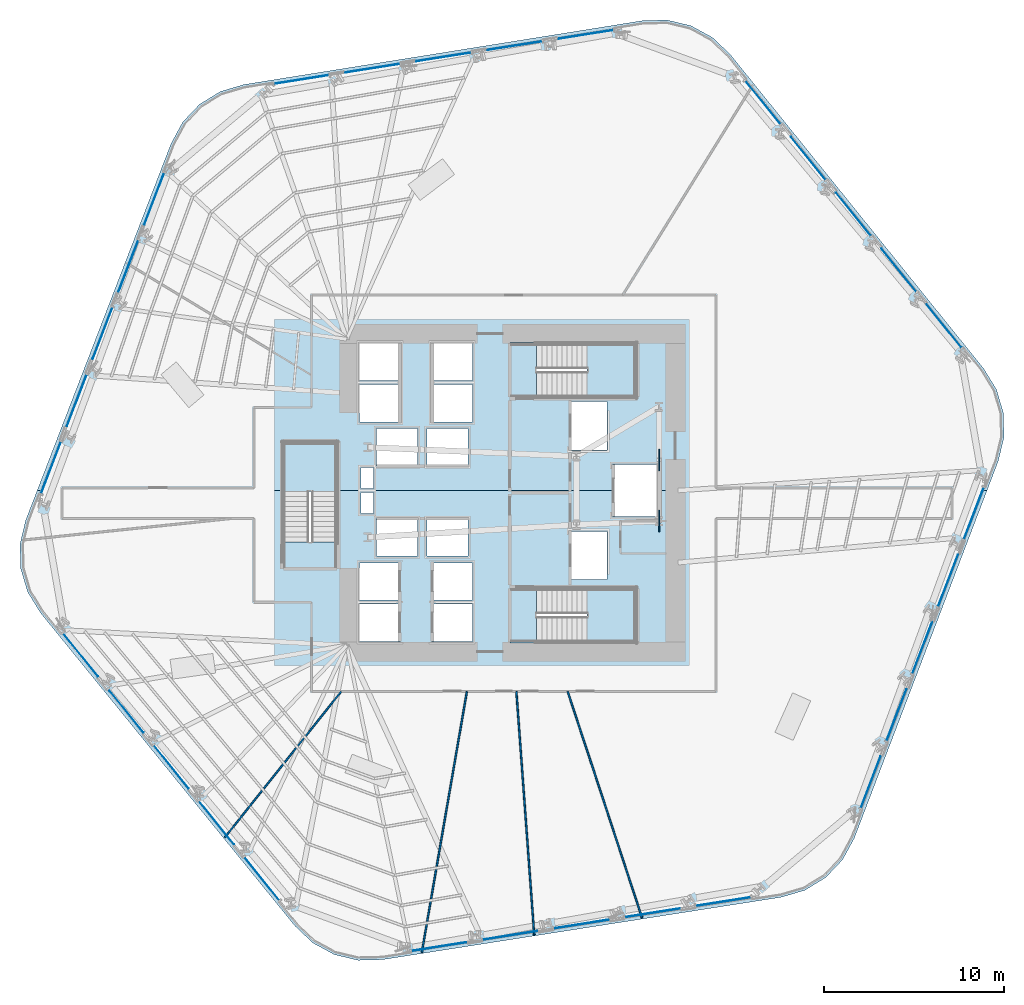
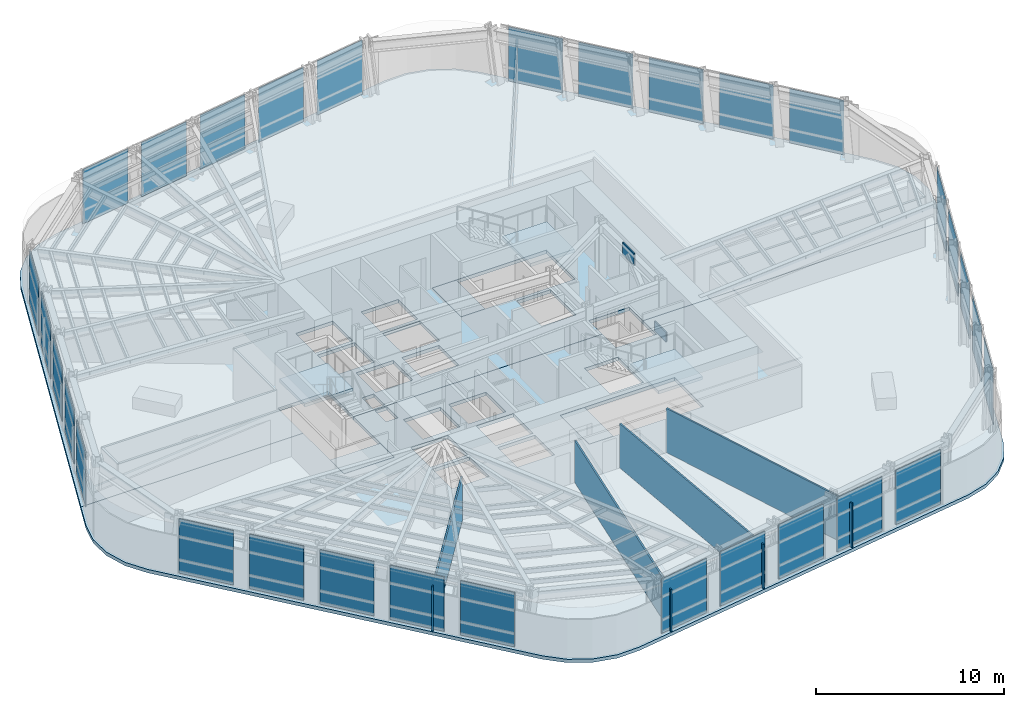
# One storey, part 7 of 16: 32 plates, 8 slabs, 4 walls, 9 elements without a shape of their own.
"""IFC4 building model written with IfcOpenShell, lengths in metres."""

from ifc_helpers import new_model, si_unit, direction, frame, frame_2d, origin, origin_2d, place, context, subcontext, project, spatial, polyline, rectangle, outline, extrude, material, layer, layer_set, type_object, element, aggregate, save


model = new_model("IFC4")

# Units and contexts
model_context = context("Model", 3, precision=1e-05, world=origin(), true_north=direction((0.0, 1.0)))
body_context = subcontext(model_context, "Body", "Model", "MODEL_VIEW")
ifc_project = project(units=[si_unit("LENGTHUNIT", "METRE"), si_unit("AREAUNIT", "SQUARE_METRE"), si_unit("VOLUMEUNIT", "CUBIC_METRE"), si_unit("PLANEANGLEUNIT", "RADIAN"), si_unit("MASSUNIT", "GRAM", prefix="KILO")], contexts=[model_context])

# Site, building, storey
site_placement = place(None, origin())
site = spatial("IfcSite", under=ifc_project, at=site_placement, CompositionType="ELEMENT")
building_placement = place(site_placement, origin())
building = spatial("IfcBuilding", under=site, at=building_placement, Name="Valkerne Bourse Tower", CompositionType="ELEMENT")
storey_placement = place(building_placement, frame((0.0, 0.0, 62.0)))
storey = spatial("IfcBuildingStorey", under=building, at=storey_placement, Name="L15", CompositionType="ELEMENT", Elevation=62.0)

# Curtain wall, plates
ifc_material_1 = material(Name="Aluminium AA 6063-T6", Category="aluminium")
ifc_layer_1 = layer(ifc_material_1, 0.22509765625)
ifc_layer_set_1 = layer_set([ifc_layer_1], Name="Aluminium AA 6063-T6")
curtain_wall_type = type_object("IfcCurtainWallType", Name="CW-01", PredefinedType="NOTDEFINED", material=ifc_layer_set_1)
curtain_wall_1_placement = place(storey_placement, origin())
curtain_wall_1 = element("IfcCurtainWall", 1, at=curtain_wall_1_placement, inside=storey, type_object=curtain_wall_type, Name="L15 Hexagonal Stick Curtain Wall Face 1", PredefinedType="NOTDEFINED")
ifc_material_2 = material(Name="Glass IGU Low-E Double Glazed", Category="glass")
ifc_layer_2 = layer(ifc_material_2, 0.031982421875)
ifc_layer_set_2 = layer_set([ifc_layer_2], Name="Glass IGU Low-E Double Glazed")
plate_type_1 = type_object("IfcPlateType", Name="CW-PNL-IGU-32", PredefinedType="CURTAIN_PANEL", material=ifc_layer_set_2)
plate_1_placement = place(storey_placement, frame((70.770263671875, 36.126953125, 0.030029296875), z_axis=(0.0, 0.0, 1.0), x_axis=(-0.629319886736, 0.777146369842, 0.0)))
plate_1 = element("IfcPlate", 2, at=plate_1_placement, type_object=plate_type_1, Name="CW-L15-F1 Curtain Panel 00", PredefinedType="CURTAIN_PANEL", context=body_context, shape_type="SweptSolid", body=[
    extrude(rectangle(XDim=3.075927734375, YDim=0.031982421875, at=origin_2d()), origin(), (0.0, 0.0, 1.0), 3.52001953125),
])
plate_2_placement = place(storey_placement, frame((68.255615234375, 39.232421875, 0.030029296875), z_axis=(0.0, 0.0, 1.0), x_axis=(-0.629322761639, 0.777144041786, 0.0)))
plate_2 = element("IfcPlate", 3, at=plate_2_placement, type_object=plate_type_1, Name="CW-L15-F1 Curtain Panel 01", PredefinedType="CURTAIN_PANEL", context=body_context, shape_type="SweptSolid", body=[
    extrude(rectangle(XDim=3.076171875, YDim=0.031982421875, at=origin_2d()), origin(), (0.0, 0.0, 1.0), 3.52001953125),
])
plate_3_placement = place(storey_placement, frame((65.74072265625, 42.337890625, 0.030029296875), z_axis=(0.0, 0.0, 1.0), x_axis=(-0.629322761639, 0.777144041786, 0.0)))
plate_3 = element("IfcPlate", 4, at=plate_3_placement, type_object=plate_type_1, Name="CW-L15-F1 Curtain Panel 02", PredefinedType="CURTAIN_PANEL", context=body_context, shape_type="SweptSolid", body=[
    extrude(rectangle(XDim=3.076171875, YDim=0.031982421875, at=origin_2d()), origin(), (0.0, 0.0, 1.0), 3.52001953125),
])
plate_4_placement = place(storey_placement, frame((63.225830078125, 45.443359375, 0.030029296875), z_axis=(0.0, 0.0, 1.0), x_axis=(-0.629307647505, 0.777156280803, 0.0)))
plate_4 = element("IfcPlate", 5, at=plate_4_placement, type_object=plate_type_1, Name="CW-L15-F1 Curtain Panel 03", PredefinedType="CURTAIN_PANEL", context=body_context, shape_type="SweptSolid", body=[
    extrude(rectangle(XDim=3.075927734375, YDim=0.031982421875, at=origin_2d()), origin(), (0.0, 0.0, 1.0), 3.52001953125),
])
plate_5_placement = place(storey_placement, frame((60.711181640625, 48.548828125, 0.030029296875), z_axis=(0.0, 0.0, 1.0), x_axis=(-0.629335000772, 0.77713413051, 0.0)))
plate_5 = element("IfcPlate", 6, at=plate_5_placement, type_object=plate_type_1, Name="CW-L15-F1 Curtain Panel 04", PredefinedType="CURTAIN_PANEL", context=body_context, shape_type="SweptSolid", body=[
    extrude(rectangle(XDim=3.075927734375, YDim=0.031982421875, at=origin_2d()), origin(), (0.0, 0.0, 1.0), 3.52001953125),
])
aggregate(curtain_wall_1, [plate_1, plate_2, plate_3, plate_4, plate_5])

curtain_wall_2_placement = place(storey_placement, origin())
curtain_wall_2 = element("IfcCurtainWall", 7, at=curtain_wall_2_placement, inside=storey, type_object=curtain_wall_type, Name="L15 Hexagonal Stick Curtain Wall Face 2", PredefinedType="NOTDEFINED")
plate_6_placement = place(storey_placement, frame((50.880859375, 52.322509765625, 0.030029296875), z_axis=(0.0, 0.0, 1.0), x_axis=(-0.987688793331, -0.156431606549, 0.0)))
plate_6 = element("IfcPlate", 8, at=plate_6_placement, type_object=plate_type_1, Name="CW-L15-F2 Curtain Panel 00", PredefinedType="CURTAIN_PANEL", context=body_context, shape_type="SweptSolid", body=[
    extrude(rectangle(XDim=3.076171875, YDim=0.031982421875, at=origin_2d()), origin(), (0.0, 0.0, 1.0), 3.52001953125),
])
plate_7_placement = place(storey_placement, frame((46.93408203125, 51.697265625, 0.030029296875), z_axis=(0.0, 0.0, 1.0), x_axis=(-0.987688793331, -0.156431606549, 0.0)))
plate_7 = element("IfcPlate", 9, at=plate_7_placement, type_object=plate_type_1, Name="CW-L15-F2 Curtain Panel 01", PredefinedType="CURTAIN_PANEL", context=body_context, shape_type="SweptSolid", body=[
    extrude(rectangle(XDim=3.076171875, YDim=0.031982421875, at=origin_2d()), origin(), (0.0, 0.0, 1.0), 3.52001953125),
])
plate_8_placement = place(storey_placement, frame((42.9873046875, 51.072265625, 0.030029296875), z_axis=(0.0, 0.0, 1.0), x_axis=(-0.987688793331, -0.156431606549, 0.0)))
plate_8 = element("IfcPlate", 10, at=plate_8_placement, type_object=plate_type_1, Name="CW-L15-F2 Curtain Panel 02", PredefinedType="CURTAIN_PANEL", context=body_context, shape_type="SweptSolid", body=[
    extrude(rectangle(XDim=3.076171875, YDim=0.031982421875, at=origin_2d()), origin(), (0.0, 0.0, 1.0), 3.52001953125),
])
plate_9_placement = place(storey_placement, frame((39.04052734375, 50.447021484375, 0.030029296875), z_axis=(0.0, 0.0, 1.0), x_axis=(-0.987688793331, -0.156431606549, 0.0)))
plate_9 = element("IfcPlate", 11, at=plate_9_placement, type_object=plate_type_1, Name="CW-L15-F2 Curtain Panel 03", PredefinedType="CURTAIN_PANEL", context=body_context, shape_type="SweptSolid", body=[
    extrude(rectangle(XDim=3.076171875, YDim=0.031982421875, at=origin_2d()), origin(), (0.0, 0.0, 1.0), 3.52001953125),
])
plate_10_placement = place(storey_placement, frame((35.09375, 49.822021484375, 0.030029296875), z_axis=(0.0, 0.0, 1.0), x_axis=(-0.987684926531, -0.156456019071, 0.0)))
plate_10 = element("IfcPlate", 12, at=plate_10_placement, type_object=plate_type_1, Name="CW-L15-F2 Curtain Panel 04", PredefinedType="CURTAIN_PANEL", context=body_context, shape_type="SweptSolid", body=[
    extrude(rectangle(XDim=3.076171875, YDim=0.031982421875, at=origin_2d()), origin(), (0.0, 0.0, 1.0), 3.52001953125),
])
aggregate(curtain_wall_2, [plate_6, plate_7, plate_8, plate_9, plate_10])

curtain_wall_3_placement = place(storey_placement, origin())
curtain_wall_3 = element("IfcCurtainWall", 13, at=curtain_wall_3_placement, inside=storey, type_object=curtain_wall_type, Name="L15 Hexagonal Stick Curtain Wall Face 3", PredefinedType="NOTDEFINED")
plate_11_placement = place(storey_placement, frame((26.91064453125, 43.1953125, 0.030029296875), z_axis=(0.0, 0.0, 1.0), x_axis=(-0.358366906367, -0.933580826935, 0.0)))
plate_11 = element("IfcPlate", 14, at=plate_11_placement, type_object=plate_type_1, Name="CW-L15-F3 Curtain Panel 00", PredefinedType="CURTAIN_PANEL", context=body_context, shape_type="SweptSolid", body=[
    extrude(rectangle(XDim=3.075927734375, YDim=0.031982421875, at=origin_2d()), origin(), (0.0, 0.0, 1.0), 3.52001953125),
])
plate_12_placement = place(storey_placement, frame((25.478759765625, 39.46484375, 0.030029296875), z_axis=(0.0, 0.0, 1.0), x_axis=(-0.358380344872, -0.933575668283, 0.0)))
plate_12 = element("IfcPlate", 15, at=plate_12_placement, type_object=plate_type_1, Name="CW-L15-F3 Curtain Panel 01", PredefinedType="CURTAIN_PANEL", context=body_context, shape_type="SweptSolid", body=[
    extrude(rectangle(XDim=3.075927734375, YDim=0.031982421875, at=origin_2d()), origin(), (0.0, 0.0, 1.0), 3.52001953125),
])
plate_13_placement = place(storey_placement, frame((24.046630859375, 35.734130859375, 0.030029296875), z_axis=(0.0, 0.0, 1.0), x_axis=(-0.358358533862, -0.933584040785, 0.0)))
plate_13 = element("IfcPlate", 16, at=plate_13_placement, type_object=plate_type_1, Name="CW-L15-F3 Curtain Panel 02", PredefinedType="CURTAIN_PANEL", context=body_context, shape_type="SweptSolid", body=[
    extrude(rectangle(XDim=3.075927734375, YDim=0.031982421875, at=origin_2d()), origin(), (0.0, 0.0, 1.0), 3.52001953125),
])
plate_14_placement = place(storey_placement, frame((22.614501953125, 32.003662109375, 0.030029296875), z_axis=(0.0, 0.0, 1.0), x_axis=(-0.358380344872, -0.933575668283, 0.0)))
plate_14 = element("IfcPlate", 17, at=plate_14_placement, type_object=plate_type_1, Name="CW-L15-F3 Curtain Panel 03", PredefinedType="CURTAIN_PANEL", context=body_context, shape_type="SweptSolid", body=[
    extrude(rectangle(XDim=3.075927734375, YDim=0.031982421875, at=origin_2d()), origin(), (0.0, 0.0, 1.0), 3.52001953125),
])
plate_15_placement = place(storey_placement, frame((21.1826171875, 28.27294921875, 0.030029296875), z_axis=(0.0, 0.0, 1.0), x_axis=(-0.358358533862, -0.933584040785, 0.0)))
plate_15 = element("IfcPlate", 18, at=plate_15_placement, type_object=plate_type_1, Name="CW-L15-F3 Curtain Panel 04", PredefinedType="CURTAIN_PANEL", context=body_context, shape_type="SweptSolid", body=[
    extrude(rectangle(XDim=3.075927734375, YDim=0.031982421875, at=origin_2d()), origin(), (0.0, 0.0, 1.0), 3.52001953125),
])
aggregate(curtain_wall_3, [plate_11, plate_12, plate_13, plate_14, plate_15])

curtain_wall_4_placement = place(storey_placement, origin())
curtain_wall_4 = element("IfcCurtainWall", 19, at=curtain_wall_4_placement, inside=storey, type_object=curtain_wall_type, Name="L15 Hexagonal Stick Curtain Wall Face 4", PredefinedType="NOTDEFINED")
plate_16_placement = place(storey_placement, frame((22.829833984375, 17.873046875, 0.030029296875), z_axis=(0.0, 0.0, 1.0), x_axis=(0.629319886736, -0.777146369842, 0.0)))
plate_16 = element("IfcPlate", 20, at=plate_16_placement, type_object=plate_type_1, Name="CW-L15-F4 Curtain Panel 00", PredefinedType="CURTAIN_PANEL", context=body_context, shape_type="SweptSolid", body=[
    extrude(rectangle(XDim=3.075927734375, YDim=0.031982421875, at=origin_2d()), origin(), (0.0, 0.0, 1.0), 3.52001953125),
])
plate_17_placement = place(storey_placement, frame((25.344482421875, 14.767578125, 0.030029296875), z_axis=(0.0, 0.0, 1.0), x_axis=(0.629322761639, -0.777144041786, 0.0)))
plate_17 = element("IfcPlate", 21, at=plate_17_placement, type_object=plate_type_1, Name="CW-L15-F4 Curtain Panel 01", PredefinedType="CURTAIN_PANEL", context=body_context, shape_type="SweptSolid", body=[
    extrude(rectangle(XDim=3.076171875, YDim=0.031982421875, at=origin_2d()), origin(), (0.0, 0.0, 1.0), 3.52001953125),
])
plate_18_placement = place(storey_placement, frame((27.859375, 11.662109375, 0.030029296875), z_axis=(0.0, 0.0, 1.0), x_axis=(0.629322761639, -0.777144041786, 0.0)))
plate_18 = element("IfcPlate", 22, at=plate_18_placement, type_object=plate_type_1, Name="CW-L15-F4 Curtain Panel 02", PredefinedType="CURTAIN_PANEL", context=body_context, shape_type="SweptSolid", body=[
    extrude(rectangle(XDim=3.076171875, YDim=0.031982421875, at=origin_2d()), origin(), (0.0, 0.0, 1.0), 3.52001953125),
])
plate_19_placement = place(storey_placement, frame((30.3740234375, 8.556396484375, 0.030029296875), z_axis=(0.0, 0.0, 1.0), x_axis=(0.629307647505, -0.777156280803, 0.0)))
plate_19 = element("IfcPlate", 23, at=plate_19_placement, type_object=plate_type_1, Name="CW-L15-F4 Curtain Panel 03", PredefinedType="CURTAIN_PANEL", context=body_context, shape_type="SweptSolid", body=[
    extrude(rectangle(XDim=3.075927734375, YDim=0.031982421875, at=origin_2d()), origin(), (0.0, 0.0, 1.0), 3.52001953125),
])
plate_20_placement = place(storey_placement, frame((32.888916015625, 5.451171875, 0.030029296875), z_axis=(0.0, 0.0, 1.0), x_axis=(0.629335000772, -0.77713413051, 0.0)))
plate_20 = element("IfcPlate", 24, at=plate_20_placement, type_object=plate_type_1, Name="CW-L15-F4 Curtain Panel 04", PredefinedType="CURTAIN_PANEL", context=body_context, shape_type="SweptSolid", body=[
    extrude(rectangle(XDim=3.075927734375, YDim=0.031982421875, at=origin_2d()), origin(), (0.0, 0.0, 1.0), 3.52001953125),
])
aggregate(curtain_wall_4, [plate_16, plate_17, plate_18, plate_19, plate_20])

curtain_wall_5_placement = place(storey_placement, origin())
curtain_wall_5 = element("IfcCurtainWall", 25, at=curtain_wall_5_placement, inside=storey, type_object=curtain_wall_type, Name="L15 Hexagonal Stick Curtain Wall Face 5", PredefinedType="NOTDEFINED")
plate_21_placement = place(storey_placement, frame((42.718994140625, 1.677734375, 0.030029296875), z_axis=(0.0, 0.0, 1.0), x_axis=(0.987688793331, 0.156431606549, 0.0)))
plate_21 = element("IfcPlate", 26, at=plate_21_placement, type_object=plate_type_1, Name="CW-L15-F5 Curtain Panel 00", PredefinedType="CURTAIN_PANEL", context=body_context, shape_type="SweptSolid", body=[
    extrude(rectangle(XDim=3.076171875, YDim=0.031982421875, at=origin_2d()), origin(), (0.0, 0.0, 1.0), 3.52001953125),
])
plate_22_placement = place(storey_placement, frame((46.666015625, 2.302734375, 0.030029296875), z_axis=(0.0, 0.0, 1.0), x_axis=(0.987688793331, 0.156431606549, 0.0)))
plate_22 = element("IfcPlate", 27, at=plate_22_placement, type_object=plate_type_1, Name="CW-L15-F5 Curtain Panel 01", PredefinedType="CURTAIN_PANEL", context=body_context, shape_type="SweptSolid", body=[
    extrude(rectangle(XDim=3.076171875, YDim=0.031982421875, at=origin_2d()), origin(), (0.0, 0.0, 1.0), 3.52001953125),
])
plate_23_placement = place(storey_placement, frame((50.61279296875, 2.927978515625, 0.030029296875), z_axis=(0.0, 0.0, 1.0), x_axis=(0.987688793331, 0.156431606549, 0.0)))
plate_23 = element("IfcPlate", 28, at=plate_23_placement, type_object=plate_type_1, Name="CW-L15-F5 Curtain Panel 02", PredefinedType="CURTAIN_PANEL", context=body_context, shape_type="SweptSolid", body=[
    extrude(rectangle(XDim=3.076171875, YDim=0.031982421875, at=origin_2d()), origin(), (0.0, 0.0, 1.0), 3.52001953125),
])
plate_24_placement = place(storey_placement, frame((54.5595703125, 3.552978515625, 0.030029296875), z_axis=(0.0, 0.0, 1.0), x_axis=(0.987688793331, 0.156431606549, 0.0)))
plate_24 = element("IfcPlate", 29, at=plate_24_placement, type_object=plate_type_1, Name="CW-L15-F5 Curtain Panel 03", PredefinedType="CURTAIN_PANEL", context=body_context, shape_type="SweptSolid", body=[
    extrude(rectangle(XDim=3.076171875, YDim=0.031982421875, at=origin_2d()), origin(), (0.0, 0.0, 1.0), 3.52001953125),
])
plate_25_placement = place(storey_placement, frame((58.50634765625, 4.177978515625, 0.030029296875), z_axis=(0.0, 0.0, 1.0), x_axis=(0.987684926531, 0.156456019071, 0.0)))
plate_25 = element("IfcPlate", 30, at=plate_25_placement, type_object=plate_type_1, Name="CW-L15-F5 Curtain Panel 04", PredefinedType="CURTAIN_PANEL", context=body_context, shape_type="SweptSolid", body=[
    extrude(rectangle(XDim=3.076171875, YDim=0.031982421875, at=origin_2d()), origin(), (0.0, 0.0, 1.0), 3.52001953125),
])
aggregate(curtain_wall_5, [plate_21, plate_22, plate_23, plate_24, plate_25])

curtain_wall_6_placement = place(storey_placement, origin())
curtain_wall_6 = element("IfcCurtainWall", 31, at=curtain_wall_6_placement, inside=storey, type_object=curtain_wall_type, Name="L15 Hexagonal Stick Curtain Wall Face 6", PredefinedType="NOTDEFINED")
plate_26_placement = place(storey_placement, frame((66.689208984375, 10.8046875, 0.030029296875), z_axis=(0.0, 0.0, 1.0), x_axis=(0.358366906367, 0.933580826935, 0.0)))
plate_26 = element("IfcPlate", 32, at=plate_26_placement, type_object=plate_type_1, Name="CW-L15-F6 Curtain Panel 00", PredefinedType="CURTAIN_PANEL", context=body_context, shape_type="SweptSolid", body=[
    extrude(rectangle(XDim=3.075927734375, YDim=0.031982421875, at=origin_2d()), origin(), (0.0, 0.0, 1.0), 3.52001953125),
])
plate_27_placement = place(storey_placement, frame((68.121337890625, 14.53515625, 0.030029296875), z_axis=(0.0, 0.0, 1.0), x_axis=(0.358380344872, 0.933575668283, 0.0)))
plate_27 = element("IfcPlate", 33, at=plate_27_placement, type_object=plate_type_1, Name="CW-L15-F6 Curtain Panel 01", PredefinedType="CURTAIN_PANEL", context=body_context, shape_type="SweptSolid", body=[
    extrude(rectangle(XDim=3.075927734375, YDim=0.031982421875, at=origin_2d()), origin(), (0.0, 0.0, 1.0), 3.52001953125),
])
plate_28_placement = place(storey_placement, frame((69.553466796875, 18.265869140625, 0.030029296875), z_axis=(0.0, 0.0, 1.0), x_axis=(0.358358533862, 0.933584040785, 0.0)))
plate_28 = element("IfcPlate", 34, at=plate_28_placement, type_object=plate_type_1, Name="CW-L15-F6 Curtain Panel 02", PredefinedType="CURTAIN_PANEL", context=body_context, shape_type="SweptSolid", body=[
    extrude(rectangle(XDim=3.075927734375, YDim=0.031982421875, at=origin_2d()), origin(), (0.0, 0.0, 1.0), 3.52001953125),
])
plate_29_placement = place(storey_placement, frame((70.985595703125, 21.996337890625, 0.030029296875), z_axis=(0.0, 0.0, 1.0), x_axis=(0.358380344872, 0.933575668283, 0.0)))
plate_29 = element("IfcPlate", 35, at=plate_29_placement, type_object=plate_type_1, Name="CW-L15-F6 Curtain Panel 03", PredefinedType="CURTAIN_PANEL", context=body_context, shape_type="SweptSolid", body=[
    extrude(rectangle(XDim=3.075927734375, YDim=0.031982421875, at=origin_2d()), origin(), (0.0, 0.0, 1.0), 3.52001953125),
])
plate_30_placement = place(storey_placement, frame((72.41748046875, 25.72705078125, 0.030029296875), z_axis=(0.0, 0.0, 1.0), x_axis=(0.358358533862, 0.933584040785, 0.0)))
plate_30 = element("IfcPlate", 36, at=plate_30_placement, type_object=plate_type_1, Name="CW-L15-F6 Curtain Panel 04", PredefinedType="CURTAIN_PANEL", context=body_context, shape_type="SweptSolid", body=[
    extrude(rectangle(XDim=3.075927734375, YDim=0.031982421875, at=origin_2d()), origin(), (0.0, 0.0, 1.0), 3.52001953125),
])
aggregate(curtain_wall_6, [plate_26, plate_27, plate_28, plate_29, plate_30])

# Plates
ifc_material_3 = material(Name="Steel ASTM A572 Grade 50", Category="steel")
ifc_layer_3 = layer(ifc_material_3, 0.06005859375)
ifc_layer_set_3 = layer_set([ifc_layer_3], Name="Steel ASTM A572 Grade 50")
plate_type_2 = type_object("IfcPlateType", Name="PLT-GUS-60", PredefinedType="SHEET", material=ifc_layer_set_3)
for number, where, z_axis, x_axis, name in (
    (37, (54.949951171875, 25.300048828125, -0.18017578125), (0.0, 0.0, 1.0), (0.0, 1.0, 0.0), "L15 Brace Node Gusset Plate PLT-GUS-END-L15-346"),
    (38, (54.949951171875, 28.699951171875, 2.8740234375), (0.0, 0.0, 1.0), (0.0, 1.0, 0.0), "L15 Brace Node Gusset Plate PLT-GUS-END-L15-347"),
):
    element("IfcPlate", number, at=place(storey_placement, frame(where, z_axis=z_axis, x_axis=x_axis)), inside=storey, type_object=plate_type_2, Name=name, PredefinedType="SHEET", context=body_context, shape_type="SweptSolid", body=[
        extrude(rectangle(XDim=1.199951171875, YDim=0.06005859375, at=origin_2d()), origin(), (0.0, 0.0, 1.0), 0.800048828125),
    ])

# Slabs
ifc_material_4 = material(Name="Concrete C40/50", Category="concrete")
ifc_layer_4 = layer(ifc_material_4, 0.25)
ifc_layer_set_4 = layer_set([ifc_layer_4], Name="Concrete C40/50")
slab_type_1 = type_object("IfcSlabType", Name="SLB-RMP-LND-250", PredefinedType="LANDING", material=ifc_layer_set_4)
slab_1_placement = place(storey_placement, frame((0.0, 0.0, -0.219970703125)))
element("IfcSlab", 39, at=slab_1_placement, inside=storey, type_object=slab_type_1, Name="L15 ST-1 Floor Landing Slab", PredefinedType="LANDING", context=body_context, shape_type="SweptSolid", body=[
    extrude(outline(polyline([(46.669921875, 18.5400390625), (48.14990234375, 18.5400390625), (48.14990234375, 21.610107421875), (46.669921875, 21.610107421875), (46.669921875, 18.5400390625)])), origin(), (0.0, 0.0, 1.0), 0.219970703125),
])
slab_2_placement = place(storey_placement, frame((0.0, 0.0, -0.219970703125)))
element("IfcSlab", 40, at=slab_2_placement, inside=storey, type_object=slab_type_1, Name="L15 ST-2 Floor Landing Slab", PredefinedType="LANDING", context=body_context, shape_type="SweptSolid", body=[
    extrude(outline(polyline([(46.669921875, 32.139892578125), (48.14990234375, 32.139892578125), (48.14990234375, 35.2099609375), (46.669921875, 35.2099609375), (46.669921875, 32.139892578125)])), origin(), (0.0, 0.0, 1.0), 0.219970703125),
])
slab_3_placement = place(storey_placement, frame((0.0, 0.0, -0.219970703125)))
element("IfcSlab", 41, at=slab_3_placement, inside=storey, type_object=slab_type_1, Name="L15 ST-3 Floor Landing Slab", PredefinedType="LANDING", context=body_context, shape_type="SweptSolid", body=[
    extrude(outline(polyline([(37.110107421875, 22.669921875), (37.110107421875, 24.14990234375), (34.0400390625, 24.14990234375), (34.0400390625, 22.669921875), (37.110107421875, 22.669921875)])), origin(), (0.0, 0.0, 1.0), 0.219970703125),
])

# Stair, slab
stair_type = type_object("IfcStairType", Name="ST-CORE-1400", PredefinedType="HALF_TURN_STAIR", material=ifc_material_4)
stair_1_placement = place(storey_placement, origin())
stair_1 = element("IfcStair", 42, at=stair_1_placement, inside=storey, type_object=stair_type, Name="L15 ST-1", PredefinedType="HALF_TURN_STAIR")
ifc_layer_5 = layer(ifc_material_4, 0.179931640625)
ifc_layer_set_5 = layer_set([ifc_layer_5], Name="Concrete C40/50")
slab_type_2 = type_object("IfcSlabType", Name="SLB-ST-LND-180", PredefinedType="LANDING", material=ifc_layer_set_5)
slab_4_placement = place(storey_placement, frame((0.0, 0.0, 1.699951171875)))
slab_4 = element("IfcSlab", 43, at=slab_4_placement, type_object=slab_type_2, Name="ST-1 landing 1", PredefinedType="LANDING", context=body_context, shape_type="SweptSolid", body=[
    extrude(outline(polyline([(50.949951171875, 18.60009765625), (53.64990234375, 18.60009765625), (53.64990234375, 21.550048828125), (50.949951171875, 21.550048828125), (50.949951171875, 18.60009765625)])), origin(), (0.0, 0.0, 1.0), 0.199951171875),
])
aggregate(stair_1, [slab_4])

stair_2_placement = place(storey_placement, origin())
stair_2 = element("IfcStair", 44, at=stair_2_placement, inside=storey, type_object=stair_type, Name="L15 ST-2", PredefinedType="HALF_TURN_STAIR")
slab_5_placement = place(storey_placement, frame((0.0, 0.0, 1.699951171875)))
slab_5 = element("IfcSlab", 45, at=slab_5_placement, type_object=slab_type_2, Name="ST-2 landing 1", PredefinedType="LANDING", context=body_context, shape_type="SweptSolid", body=[
    extrude(outline(polyline([(50.949951171875, 32.199951171875), (53.64990234375, 32.199951171875), (53.64990234375, 35.14990234375), (50.949951171875, 35.14990234375), (50.949951171875, 32.199951171875)])), origin(), (0.0, 0.0, 1.0), 0.199951171875),
])
aggregate(stair_2, [slab_5])

stair_3_placement = place(storey_placement, origin())
stair_3 = element("IfcStair", 46, at=stair_3_placement, inside=storey, type_object=stair_type, Name="L15 ST-3", PredefinedType="HALF_TURN_STAIR")
slab_6_placement = place(storey_placement, frame((0.0, 0.0, 1.699951171875)))
slab_6 = element("IfcSlab", 47, at=slab_6_placement, type_object=slab_type_2, Name="ST-3 landing 1", PredefinedType="LANDING", context=body_context, shape_type="SweptSolid", body=[
    extrude(outline(polyline([(37.050048828125, 26.949951171875), (37.050048828125, 29.64990234375), (34.10009765625, 29.64990234375), (34.10009765625, 26.949951171875), (37.050048828125, 26.949951171875)])), origin(), (0.0, 0.0, 1.0), 0.199951171875),
])
aggregate(stair_3, [slab_6])

# Slabs
ifc_layer_6 = layer(ifc_material_4, 0.219970703125)
ifc_layer_set_6 = layer_set([ifc_layer_6], Name="Concrete C40/50")
slab_type_3 = type_object("IfcSlabType", Name="SLB-TOW-220", PredefinedType="FLOOR", material=ifc_layer_set_6)
slab_7_placement = place(storey_placement, frame((0.0, 0.0, -0.219970703125)))
element("IfcSlab", 48, at=slab_7_placement, inside=storey, type_object=slab_type_3, Name="L15 Hexagonal Composite Floor Slab S", PredefinedType="FLOOR", context=body_context, shape_type="SweptSolid", body=[
    extrude(outline(polyline([(65.13037109375, 6.502685546875), (64.19580078125, 5.517822265625), (63.038330078125, 4.80859375), (61.73681640625, 4.423095703125), (39.587646484375, 0.9560546875), (38.230712890625, 0.92041015625), (36.91064453125, 1.2373046875), (35.7177734375, 1.885009765625), (34.73291015625, 2.819580078125), (20.593017578125, 20.216796875), (19.883544921875, 21.374267578125), (19.498046875, 22.67578125), (19.46240234375, 24.03271484375), (19.779296875, 25.352783203125), (20.4150390625, 27.0), (34.034912109375, 27.0), (34.034912109375, 22.6650390625), (37.114990234375, 22.6650390625), (37.114990234375, 27.0), (52.360107421875, 27.0), (52.360107421875, 25.56005859375), (54.840087890625, 25.56005859375), (54.840087890625, 27.0), (73.148193359375, 27.0), (65.778076171875, 7.695556640625), (65.13037109375, 6.502685546875)]), holes=[polyline([(40.590087890625, 20.68994140625), (38.31005859375, 20.68994140625), (38.31005859375, 18.610107421875), (40.590087890625, 18.610107421875), (40.590087890625, 20.68994140625)]), polyline([(40.590087890625, 22.989990234375), (38.31005859375, 22.989990234375), (38.31005859375, 20.909912109375), (40.590087890625, 20.909912109375), (40.590087890625, 22.989990234375)]), polyline([(41.5400390625, 25.43994140625), (39.260009765625, 25.43994140625), (39.260009765625, 23.360107421875), (41.5400390625, 23.360107421875), (41.5400390625, 25.43994140625)]), polyline([(39.10009765625, 25.72998046875), (39.10009765625, 26.89990234375), (38.3798828125, 26.89990234375), (38.3798828125, 25.72998046875), (39.10009765625, 25.72998046875)]), polyline([(44.590087890625, 20.68994140625), (42.31005859375, 20.68994140625), (42.31005859375, 18.610107421875), (44.590087890625, 18.610107421875), (44.590087890625, 20.68994140625)]), polyline([(53.675048828125, 21.614990234375), (46.6650390625, 21.614990234375), (46.6650390625, 18.534912109375), (53.675048828125, 18.534912109375), (53.675048828125, 21.614990234375)]), polyline([(44.590087890625, 22.989990234375), (42.31005859375, 22.989990234375), (42.31005859375, 20.909912109375), (44.590087890625, 20.909912109375), (44.590087890625, 22.989990234375)]), polyline([(52.0400390625, 22.06005859375), (52.0400390625, 24.739990234375), (49.9599609375, 24.739990234375), (49.9599609375, 22.06005859375), (52.0400390625, 22.06005859375)]), polyline([(44.340087890625, 23.360107421875), (44.340087890625, 25.43994140625), (42.06005859375, 25.43994140625), (42.06005859375, 23.360107421875), (44.340087890625, 23.360107421875)])]), origin(), (0.0, 0.0, 1.0), 0.219970703125),
])
slab_8_placement = place(storey_placement, frame((0.0, 0.0, -0.219970703125)))
element("IfcSlab", 49, at=slab_8_placement, inside=storey, type_object=slab_type_3, Name="L15 Hexagonal Composite Floor Slab N", PredefinedType="FLOOR", context=body_context, shape_type="SweptSolid", body=[
    extrude(outline(polyline([(27.851318359375, 46.26806640625), (28.4990234375, 47.461181640625), (29.43359375, 48.44580078125), (30.591064453125, 49.155029296875), (31.892578125, 49.54052734375), (54.029052734375, 53.087646484375), (55.385986328125, 53.123291015625), (56.7060546875, 52.806396484375), (57.899169921875, 52.158447265625), (58.8837890625, 51.22412109375), (72.9609375, 33.77587890625), (73.67041015625, 32.618408203125), (74.055908203125, 31.31689453125), (74.09130859375, 29.9599609375), (73.7744140625, 28.639892578125), (73.148193359375, 27.0), (54.840087890625, 27.0), (54.840087890625, 28.43994140625), (52.360107421875, 28.43994140625), (52.360107421875, 27.0), (37.114990234375, 27.0), (37.114990234375, 29.675048828125), (34.034912109375, 29.675048828125), (34.034912109375, 27.0), (20.4150390625, 27.0), (27.851318359375, 46.26806640625)]), holes=[polyline([(39.10009765625, 28.27001953125), (38.3798828125, 28.27001953125), (38.3798828125, 27.10009765625), (39.10009765625, 27.10009765625), (39.10009765625, 28.27001953125)]), polyline([(41.5400390625, 30.43994140625), (39.260009765625, 30.43994140625), (39.260009765625, 28.360107421875), (41.5400390625, 28.360107421875), (41.5400390625, 30.43994140625)]), polyline([(44.340087890625, 30.43994140625), (42.06005859375, 30.43994140625), (42.06005859375, 28.360107421875), (44.340087890625, 28.360107421875), (44.340087890625, 30.43994140625)]), polyline([(40.590087890625, 30.81005859375), (40.590087890625, 32.889892578125), (38.31005859375, 32.889892578125), (38.31005859375, 30.81005859375), (40.590087890625, 30.81005859375)]), polyline([(40.590087890625, 33.110107421875), (40.590087890625, 35.18994140625), (38.31005859375, 35.18994140625), (38.31005859375, 33.110107421875), (40.590087890625, 33.110107421875)]), polyline([(52.0400390625, 31.93994140625), (49.9599609375, 31.93994140625), (49.9599609375, 29.260009765625), (52.0400390625, 29.260009765625), (52.0400390625, 31.93994140625)]), polyline([(44.590087890625, 32.889892578125), (42.31005859375, 32.889892578125), (42.31005859375, 30.81005859375), (44.590087890625, 30.81005859375), (44.590087890625, 32.889892578125)]), polyline([(53.675048828125, 32.135009765625), (53.675048828125, 35.215087890625), (46.6650390625, 35.215087890625), (46.6650390625, 32.135009765625), (53.675048828125, 32.135009765625)]), polyline([(44.590087890625, 33.110107421875), (44.590087890625, 35.18994140625), (42.31005859375, 35.18994140625), (42.31005859375, 33.110107421875), (44.590087890625, 33.110107421875)])]), origin(), (0.0, 0.0, 1.0), 0.219970703125),
])

# Walls
ifc_material_5 = material(Name="Gypsum Board Steel-Stud Partition", Category="steel")
ifc_layer_7 = layer(ifc_material_5, 0.092041015625)
ifc_layer_set_7 = layer_set([ifc_layer_7], Name="Gypsum Board Steel-Stud Partition")
wall_type = type_object("IfcWallType", Name="W-PART-115", PredefinedType="PARTITIONING", material=ifc_layer_set_7)
wall_1_placement = place(storey_placement, frame((44.273193359375, 15.844970703125, 0.0), z_axis=(0.0, 0.0, 1.0), x_axis=(-0.170211884448, -0.985407486471, 0.0)))
element("IfcWall", 50, at=wall_1_placement, inside=storey, type_object=wall_type, Name="L15 Suite Partition P01", PredefinedType="PARTITIONING", context=body_context, shape_type="SweptSolid", body=[
    extrude(rectangle(XDim=14.6904296875, YDim=0.092041015625, at=frame_2d((7.34521484375, 0.0))), origin(), (0.0, 0.0, 1.0), 2.711669921875),
])
wall_2_placement = place(storey_placement, frame((47.019287109375, 15.844970703125, 0.0), z_axis=(0.0, 0.0, 1.0), x_axis=(0.073227236552, -0.997315282058, 0.0)))
element("IfcWall", 51, at=wall_2_placement, inside=storey, type_object=wall_type, Name="L15 Suite Partition P02", PredefinedType="PARTITIONING", context=body_context, shape_type="SweptSolid", body=[
    extrude(rectangle(XDim=13.5361328125, YDim=0.092041015625, at=frame_2d((6.76806640625, 0.0))), origin(), (0.0, 0.0, 1.0), 2.864013671875),
])
wall_3_placement = place(storey_placement, frame((49.86767578125, 15.844970703125, 0.0), z_axis=(0.0, 0.0, 1.0), x_axis=(0.312325867931, -0.949975027156, 0.0)))
element("IfcWall", 52, at=wall_3_placement, inside=storey, type_object=wall_type, Name="L15 Suite Partition P03", PredefinedType="PARTITIONING", context=body_context, shape_type="SweptSolid", body=[
    extrude(rectangle(XDim=13.223876953125, YDim=0.092041015625, at=frame_2d((6.61181640625, 0.0))), origin(), (0.0, 0.0, 1.0), 2.864013671875),
])
wall_4_placement = place(storey_placement, frame((37.298583984375, 15.844970703125, 0.0), z_axis=(0.0, 0.0, 1.0), x_axis=(-0.623721705988, -0.781646488817, 0.0)))
element("IfcWall", 53, at=wall_4_placement, inside=storey, type_object=wall_type, Name="L15 Suite Partition P07", PredefinedType="PARTITIONING", context=body_context, shape_type="SweptSolid", body=[
    extrude(rectangle(XDim=10.374755859375, YDim=0.092041015625, at=frame_2d((5.1875, 0.0))), origin(), (0.0, 0.0, 1.0), 2.864013671875),
])

save(model, "model.ifc")
